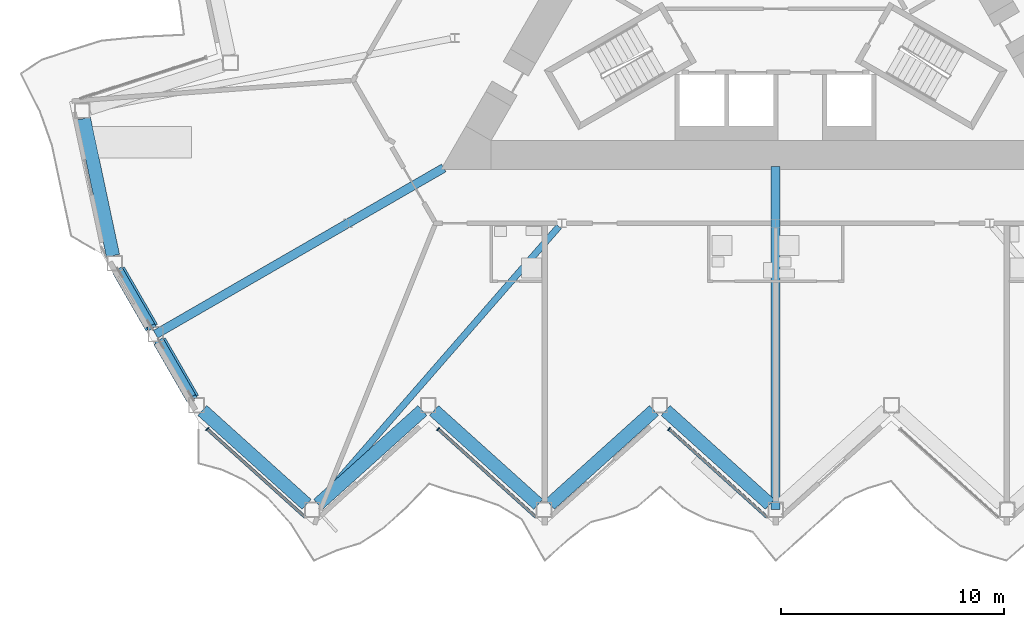
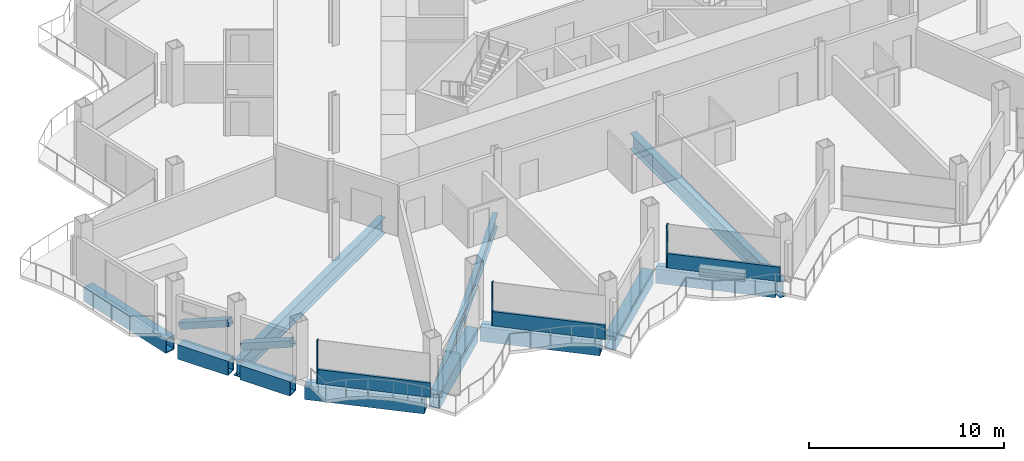
# One storey, part 4 of 24: 10 members, 9 beams, 3 elements without a shape of their own.
"""IFC4 building model written with IfcOpenShell, lengths in metres."""

from ifc_helpers import new_model, si_unit, direction, frame, origin, origin_2d, place, context, subcontext, project, spatial, rectangle, hollow_rectangle, i_section, extrude, material, layer, layer_set, material_profile, profile_set, type_object, element, aggregate, save


model = new_model("IFC4")

# Units and contexts
model_context = context("Model", 3, precision=1e-05, world=origin(), true_north=direction((0.0, 1.0)))
body_context = subcontext(model_context, "Body", "Model", "MODEL_VIEW")
ifc_project = project(units=[si_unit("LENGTHUNIT", "METRE"), si_unit("AREAUNIT", "SQUARE_METRE"), si_unit("VOLUMEUNIT", "CUBIC_METRE"), si_unit("PLANEANGLEUNIT", "RADIAN"), si_unit("MASSUNIT", "GRAM", prefix="KILO")], contexts=[model_context])

# Site, building, storey
site_placement = place(None, origin())
site = spatial("IfcSite", under=ifc_project, at=site_placement, CompositionType="ELEMENT")
building_placement = place(site_placement, origin())
building = spatial("IfcBuilding", under=site, at=building_placement, Name="Cormorant Prow Tower", CompositionType="ELEMENT")
storey_placement = place(building_placement, frame((0.0, 0.0, 231.0)))
storey = spatial("IfcBuildingStorey", under=building, at=storey_placement, Name="L50", CompositionType="ELEMENT", Elevation=231.0)

# Beams
ifc_material_1 = material(Name="Structural steel ASTM A572 Gr 50", Category="steel")
ifc_material_profile_1 = material_profile(ifc_material_1, hollow_rectangle(XDim=0.60009765625, YDim=0.89990234375, WallThickness=0.06005859375, at=origin_2d()), Name="Box 900x600x60")
ifc_profile_set_1 = profile_set([ifc_material_profile_1], Name="Structural steel ASTM A572 Gr 50")
beam_type_1 = type_object("IfcBeamType", Name="Belt truss top chord 900x600x60", PredefinedType="BEAM", material=ifc_profile_set_1)
for number, where, z_axis, x_axis, name in (
    (1, (-25.68115234375, -19.44970703125, -0.800048828125), (0.743156918576, -0.669117175368, 0.0), (0.669117175368, 0.743156918576, 0.0), "Belt truss top chord TC2 S00-S01 L50"),
    (2, (-20.492919921875, -23.65283203125, -0.800048828125), (0.743156918576, 0.669117175368, 0.0), (-0.669117175368, 0.743156918576, 0.0), "Belt truss top chord TC2 S01-S02 L50"),
    (3, (-15.3046875, -19.44970703125, -0.800048828125), (0.743156918576, -0.669117175368, 0.0), (0.669117175368, 0.743156918576, 0.0), "Belt truss top chord TC2 S02-S03 L50"),
    (4, (-10.116455078125, -23.65283203125, -0.800048828125), (0.743156918576, 0.669117175368, 0.0), (-0.669117175368, 0.743156918576, 0.0), "Belt truss top chord TC2 S03-S04 L50"),
    (5, (-4.92822265625, -19.44970703125, -0.800048828125), (0.743156918576, -0.669117175368, 0.0), (0.669117175368, 0.743156918576, 0.0), "Belt truss top chord TC2 S04-S05 L50"),
):
    element("IfcBeam", number, at=place(storey_placement, frame(where, z_axis=z_axis, x_axis=x_axis)), inside=storey, type_object=beam_type_1, Name=name, PredefinedType="BEAM", context=body_context, shape_type="SweptSolid", body=[
        extrude(hollow_rectangle(XDim=0.60009765625, YDim=0.89990234375, WallThickness=0.06005859375, at=origin_2d()), origin(), (0.0, 0.0, 1.0), 6.281494140625),
    ])
beam_1_placement = place(storey_placement, frame((-30.990478515625, -6.37158203125, -0.800048828125), z_axis=(0.207941499013, -0.978141264331, 0.0), x_axis=(0.978141264331, 0.207941499013, 0.0)))
element("IfcBeam", 6, at=beam_1_placement, inside=storey, type_object=beam_type_1, Name="Belt truss top chord TC2 WNW09-WSW00 L50", PredefinedType="BEAM", context=body_context, shape_type="SweptSolid", body=[
    extrude(hollow_rectangle(XDim=0.60009765625, YDim=0.89990234375, WallThickness=0.06005859375, at=origin_2d()), origin(), (0.0, 0.0, 1.0), 6.28125),
])
for number, where, z_axis, x_axis, name in (
    (7, (-29.4365234375, -13.1611328125, -0.800048828125), (0.499966725515, -0.866044613965, 0.0), (0.866044613965, 0.499966725515, 0.0), "Belt truss top chord TC2 WSW00-WSW01 L50"),
    (8, (-27.601318359375, -16.33984375, -0.800048828125), (0.499966725515, -0.866044613965, 0.0), (0.866044613965, 0.499966725515, 0.0), "Belt truss top chord TC2 WSW01-S00 L50"),
):
    element("IfcBeam", number, at=place(storey_placement, frame(where, z_axis=z_axis, x_axis=x_axis)), inside=storey, type_object=beam_type_1, Name=name, PredefinedType="BEAM", context=body_context, shape_type="SweptSolid", body=[
        extrude(hollow_rectangle(XDim=0.60009765625, YDim=0.89990234375, WallThickness=0.06005859375, at=origin_2d()), origin(), (0.0, 0.0, 1.0), 2.970458984375),
    ])

# Members
ifc_material_2 = material(Name="Structural steel ASTM A500 Gr C", Category="steel")
ifc_material_profile_2 = material_profile(ifc_material_2, hollow_rectangle(XDim=0.406494140625, YDim=0.406494140625, WallThickness=0.01171875, at=origin_2d()), Name="HSS16x16x1/2")
ifc_profile_set_2 = profile_set([ifc_material_profile_2], Name="Structural steel ASTM A500 Gr C")
member_type_1 = type_object("IfcMemberType", Name="Chamfer brace HSS16x16x1/2", PredefinedType="BRACE", material=ifc_profile_set_2)
for number, where, z_axis, x_axis, name in (
    (9, (-29.4287109375, -13.174560546875, 0.74951171875), (0.462773096913, -0.801606962687, 0.378506721399), (0.866041729639, 0.499971721724, 0.0), "Chamfer brace BR2 at WSW00 L50"),
    (10, (-27.593505859375, -16.353271484375, 0.74951171875), (0.462773096913, -0.801606962687, 0.378506721399), (0.866041729639, 0.499971721724, 0.0), "Chamfer brace BR2 at WSW01 L50"),
):
    element("IfcMember", number, at=place(storey_placement, frame(where, z_axis=z_axis, x_axis=x_axis)), inside=storey, type_object=member_type_1, Name=name, PredefinedType="BRACE", context=body_context, shape_type="SweptSolid", body=[
        extrude(hollow_rectangle(XDim=0.406494140625, YDim=0.406494140625, WallThickness=0.01171875, at=origin_2d()), origin(), (0.0, 0.0, 1.0), 3.17529296875),
    ])

# Curtain wall, member
ifc_material_3 = material(Name="Aluminium 6063-T6", Category="aluminium")
ifc_layer = layer(ifc_material_3, 0.179931640625)
ifc_layer_set = layer_set([ifc_layer], Name="Aluminium 6063-T6")
curtain_wall_type = type_object("IfcCurtainWallType", Name="Hotel unitised curtain wall 180", PredefinedType="NOTDEFINED", material=ifc_layer_set)
curtain_wall_1_placement = place(storey_placement, origin())
curtain_wall_1 = element("IfcCurtainWall", 11, at=curtain_wall_1_placement, inside=storey, type_object=curtain_wall_type, Name="Hotel curtain wall S00", PredefinedType="NOTDEFINED")
ifc_material_4 = material(Name="Aluminium 6063-T6", Category="aluminium")
ifc_material_profile_3 = material_profile(ifc_material_4, rectangle(XDim=0.179931640625, YDim=0.06005859375, at=origin_2d()), Name="Hotel mullion 60x180")
ifc_profile_set_3 = profile_set([ifc_material_profile_3], Name="Aluminium 6063-T6")
member_type_2 = type_object("IfcMemberType", Name="Hotel mullion 60x180", PredefinedType="MULLION", material=ifc_profile_set_3)
member_1_placement = place(storey_placement, frame((-25.46484375, -20.278076171875, 0.0), z_axis=(0.0, 0.0, 1.0), x_axis=(0.669130639913, 0.743144795265, 0.0)))
member_1 = element("IfcMember", 12, at=member_1_placement, type_object=member_type_2, Name="Hotel mullion S00", PredefinedType="MULLION", context=body_context, shape_type="SweptSolid", body=[
    extrude(rectangle(XDim=0.179931640625, YDim=0.06005859375, at=origin_2d()), origin(), (0.0, 0.0, 1.0), 2.700927734375),
])

curtain_wall_2_placement = place(storey_placement, origin())
curtain_wall_2 = element("IfcCurtainWall", 13, at=curtain_wall_2_placement, inside=storey, type_object=curtain_wall_type, Name="Hotel curtain wall S02", PredefinedType="NOTDEFINED")
member_2_placement = place(storey_placement, frame((-15.12109375, -20.278076171875, 0.0), z_axis=(0.0, 0.0, 1.0), x_axis=(0.669130639913, 0.743144795265, 0.0)))
member_2 = element("IfcMember", 14, at=member_2_placement, type_object=member_type_2, Name="Hotel mullion S02", PredefinedType="MULLION", context=body_context, shape_type="SweptSolid", body=[
    extrude(rectangle(XDim=0.179931640625, YDim=0.06005859375, at=origin_2d()), origin(), (0.0, 0.0, 1.0), 2.700927734375),
])

curtain_wall_3_placement = place(storey_placement, origin())
curtain_wall_3 = element("IfcCurtainWall", 15, at=curtain_wall_3_placement, inside=storey, type_object=curtain_wall_type, Name="Hotel curtain wall S04", PredefinedType="NOTDEFINED")
member_3_placement = place(storey_placement, frame((-4.77734375, -20.278076171875, 0.0), z_axis=(0.0, 0.0, 1.0), x_axis=(0.669130568473, 0.74314485959, 0.0)))
member_3 = element("IfcMember", 16, at=member_3_placement, type_object=member_type_2, Name="Hotel mullion S04", PredefinedType="MULLION", context=body_context, shape_type="SweptSolid", body=[
    extrude(rectangle(XDim=0.179931640625, YDim=0.06005859375, at=origin_2d()), origin(), (0.0, 0.0, 1.0), 2.700927734375),
])

# Member
ifc_material_5 = material(Name="Terracotta", Category="masonry")
ifc_material_profile_4 = material_profile(ifc_material_5, rectangle(XDim=0.139892578125, YDim=0.89990234375, at=origin_2d()), Name="Hotel terracotta spandrel rail 140x900")
ifc_profile_set_4 = profile_set([ifc_material_profile_4], Name="Terracotta")
member_type_3 = type_object("IfcMemberType", Name="Hotel terracotta spandrel rail 140x900", PredefinedType="USERDEFINED", material=ifc_profile_set_4)
member_4_placement = place(storey_placement, frame((-25.442626953125, -20.29833984375, 0.449951171875), z_axis=(0.743166509731, -0.669106522771, 0.0), x_axis=(0.669106522771, 0.743166509731, 0.0)))
member_4 = element("IfcMember", 17, at=member_4_placement, type_object=member_type_3, Name="Hotel spandrel rail S00", ObjectType="TRANSOM", PredefinedType="USERDEFINED", context=body_context, shape_type="SweptSolid", body=[
    extrude(rectangle(XDim=0.139892578125, YDim=0.89990234375, at=origin_2d()), origin(), (0.0, 0.0, 1.0), 5.8974609375),
])

aggregate(curtain_wall_1, [member_1, member_4])

member_5_placement = place(storey_placement, frame((-15.098876953125, -20.29833984375, 0.449951171875), z_axis=(0.743166509731, -0.669106522771, 0.0), x_axis=(0.669106522771, 0.743166509731, 0.0)))
member_5 = element("IfcMember", 18, at=member_5_placement, type_object=member_type_3, Name="Hotel spandrel rail S02", ObjectType="TRANSOM", PredefinedType="USERDEFINED", context=body_context, shape_type="SweptSolid", body=[
    extrude(rectangle(XDim=0.139892578125, YDim=0.89990234375, at=origin_2d()), origin(), (0.0, 0.0, 1.0), 5.8974609375),
])

aggregate(curtain_wall_2, [member_2, member_5])

member_6_placement = place(storey_placement, frame((-4.7548828125, -20.29833984375, 0.449951171875), z_axis=(0.743147975104, -0.669127108328, 0.0), x_axis=(0.669127108328, 0.743147975104, 0.0)))
member_6 = element("IfcMember", 19, at=member_6_placement, type_object=member_type_3, Name="Hotel spandrel rail S04", ObjectType="TRANSOM", PredefinedType="USERDEFINED", context=body_context, shape_type="SweptSolid", body=[
    extrude(rectangle(XDim=0.139892578125, YDim=0.89990234375, at=origin_2d()), origin(), (0.0, 0.0, 1.0), 5.897216796875),
])

aggregate(curtain_wall_3, [member_3, member_6])

# Members
ifc_material_6 = material(Name="Structural steel ASTM A992 Gr 50", Category="steel")
ifc_material_profile_5 = material_profile(ifc_material_6, i_section(OverallWidth=0.39990234375, OverallDepth=1.000244140625, WebThickness=0.01904296875, FlangeThickness=0.0361328125, at=origin_2d()), Name="W40x249")
ifc_profile_set_5 = profile_set([ifc_material_profile_5], Name="Structural steel ASTM A992 Gr 50")
member_type_4 = type_object("IfcMemberType", Name="Outrigger chord W40x249", PredefinedType="CHORD", material=ifc_profile_set_5)
member_7_placement = place(storey_placement, frame((-14.8701171875, -8.585205078125, -0.85009765625), z_axis=(-0.866025720378, -0.499999451643, 0.0), x_axis=(0.499999451643, -0.866025720378, 0.0)))
element("IfcMember", 20, at=member_7_placement, inside=storey, type_object=member_type_4, Name="Outrigger top chord 3 L50", PredefinedType="CHORD", context=body_context, shape_type="SweptSolid", body=[
    extrude(i_section(OverallWidth=0.39990234375, OverallDepth=1.000244140625, WebThickness=0.01904296875, FlangeThickness=0.0361328125, at=origin_2d()), origin(), (0.0, 0.0, 1.0), 14.90283203125),
])
member_8_placement = place(storey_placement, frame((0.0, -8.51025390625, -0.85009765625), z_axis=(0.0, -1.0, 0.0), x_axis=(1.0, 0.0, 0.0)))
element("IfcMember", 21, at=member_8_placement, inside=storey, type_object=member_type_4, Name="Outrigger top chord 4 L50", PredefinedType="CHORD", context=body_context, shape_type="SweptSolid", body=[
    extrude(i_section(OverallWidth=0.39990234375, OverallDepth=1.000244140625, WebThickness=0.01904296875, FlangeThickness=0.0361328125, at=origin_2d()), origin(), (0.0, 0.0, 1.0), 15.376708984375),
])

# Beam
ifc_material_7 = material(Name="Structural steel ASTM A992 Gr 50", Category="steel")
ifc_material_profile_6 = material_profile(ifc_material_7, i_section(OverallWidth=0.29296875, OverallDepth=0.845703125, WebThickness=0.015380859375, FlangeThickness=0.0244140625, at=origin_2d()), Name="W33x141")
ifc_profile_set_6 = profile_set([ifc_material_profile_6], Name="Structural steel ASTM A992 Gr 50")
beam_type_2 = type_object("IfcBeamType", Name="Radial floor beam W33x141", PredefinedType="BEAM", material=ifc_profile_set_6)
beam_2_placement = place(storey_placement, frame((-9.70947265625, -11.210693359375, -0.77294921875), z_axis=(-0.656874593387, -0.753999846527, 0.0), x_axis=(0.753999846527, -0.656874593387, 0.0)))
element("IfcBeam", 22, at=beam_2_placement, inside=storey, type_object=beam_type_2, Name="Radial floor beam FB2 6 L50", PredefinedType="BEAM", context=body_context, shape_type="SweptSolid", body=[
    extrude(i_section(OverallWidth=0.29296875, OverallDepth=0.845703125, WebThickness=0.015380859375, FlangeThickness=0.0244140625, at=origin_2d()), origin(), (0.0, 0.0, 1.0), 16.4619140625),
])

save(model, "model.ifc")
